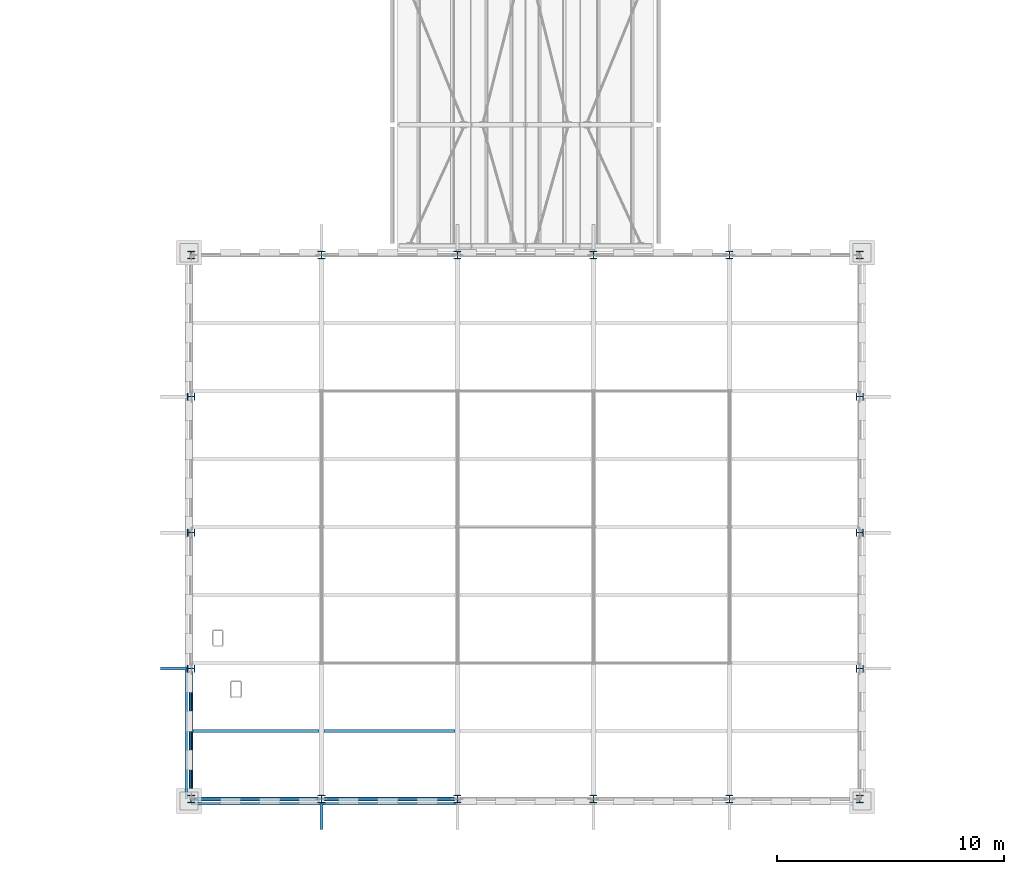
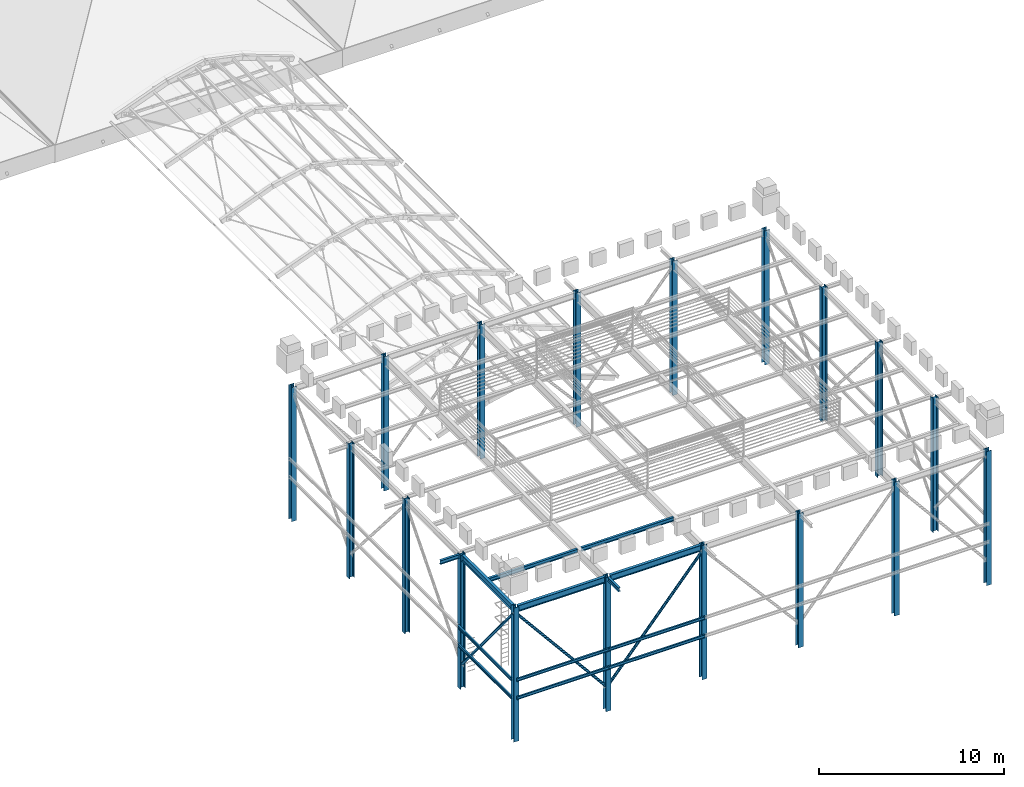
# One storey, part 1 of 57: 18 columns, 13 beams, 3 members.
"""IFC4 building model written with IfcOpenShell, lengths in metres."""

from ifc_helpers import new_model, si_unit, direction, frame, origin, origin_2d, place, context, subcontext, project, spatial, hollow_circle, i_section, extrude, material, material_profile, profile_set, type_object, element, save


model = new_model("IFC4")

# Units and contexts
model_context = context("Model", 3, precision=1e-05, world=origin(), true_north=direction((0.0, 1.0)))
body_context = subcontext(model_context, "Body", "Model", "MODEL_VIEW")
ifc_project = project(units=[si_unit("LENGTHUNIT", "METRE"), si_unit("AREAUNIT", "SQUARE_METRE"), si_unit("VOLUMEUNIT", "CUBIC_METRE"), si_unit("PLANEANGLEUNIT", "RADIAN"), si_unit("MASSUNIT", "GRAM", prefix="KILO")], contexts=[model_context])

# Site, building, storey
site_placement = place(None, origin())
site = spatial("IfcSite", under=ifc_project, at=site_placement, CompositionType="ELEMENT")
building_placement = place(site_placement, origin())
building = spatial("IfcBuilding", under=site, at=building_placement, Name="Saffron Lane Theatres", CompositionType="ELEMENT")
storey_placement = place(building_placement, frame((0.0, 0.0, 28.0)))
storey = spatial("IfcBuildingStorey", under=building, at=storey_placement, Name="Upper Roof", CompositionType="ELEMENT", Elevation=28.0)

# Columns
ifc_material_1 = material(Name="Steel Grade 350", Category="steel")
ifc_material_profile_1 = material_profile(ifc_material_1, i_section(OverallWidth=0.31103515625, OverallDepth=0.326904296875, WebThickness=0.015625, FlangeThickness=0.02490234375, FilletRadius=0.01611328125, at=origin_2d()))
ifc_profile_set_1 = profile_set([ifc_material_profile_1], Name="Steel Grade 350")
column_type = type_object("IfcColumnType", Name="ST-TOWER COLUMN 310UC158", PredefinedType="COLUMN", material=ifc_profile_set_1)
for number, where, z_axis, x_axis, name in (
    (1, (18.25, 30.25, 0.0), (0.0, 0.0, 1.0), (1.0, 0.0, 0.0), "TC1"),
    (2, (24.0, 30.25, 0.0), (0.0, 0.0, 1.0), (1.0, 0.0, 0.0), "TC2"),
    (3, (30.0, 30.25, 0.0), (0.0, 0.0, 1.0), (1.0, 0.0, 0.0), "TC3"),
    (4, (36.0, 30.25, 0.0), (0.0, 0.0, 1.0), (1.0, 0.0, 0.0), "TC4"),
    (5, (42.0, 30.25, 0.0), (0.0, 0.0, 1.0), (1.0, 0.0, 0.0), "TC5"),
    (6, (47.75, 30.25, 0.0), (0.0, 0.0, 1.0), (1.0, 0.0, 0.0), "TC6"),
    (7, (18.25, 54.25, 0.0), (0.0, 0.0, 1.0), (1.0, 0.0, 0.0), "TC7"),
    (8, (24.0, 54.25, 0.0), (0.0, 0.0, 1.0), (1.0, 0.0, 0.0), "TC8"),
    (9, (30.0, 54.25, 0.0), (0.0, 0.0, 1.0), (1.0, 0.0, 0.0), "TC9"),
    (10, (36.0, 54.25, 0.0), (0.0, 0.0, 1.0), (1.0, 0.0, 0.0), "TC10"),
    (11, (42.0, 54.25, 0.0), (0.0, 0.0, 1.0), (1.0, 0.0, 0.0), "TC11"),
    (12, (47.75, 54.25, 0.0), (0.0, 0.0, 1.0), (1.0, 0.0, 0.0), "TC12"),
    (13, (18.25, 36.0, 0.0), (0.0, 0.0, 1.0), (0.0, 1.0, 0.0), "TC13"),
    (14, (18.25, 42.0, 0.0), (0.0, 0.0, 1.0), (0.0, 1.0, 0.0), "TC14"),
    (15, (18.25, 48.0, 0.0), (0.0, 0.0, 1.0), (0.0, 1.0, 0.0), "TC15"),
    (16, (47.75, 36.0, 0.0), (0.0, 0.0, 1.0), (0.0, 1.0, 0.0), "TC16"),
    (17, (47.75, 42.0, 0.0), (0.0, 0.0, 1.0), (0.0, 1.0, 0.0), "TC17"),
    (18, (47.75, 48.0, 0.0), (0.0, 0.0, 1.0), (0.0, 1.0, 0.0), "TC18"),
):
    element("IfcColumn", number, at=place(storey_placement, frame(where, z_axis=z_axis, x_axis=x_axis)), inside=storey, type_object=column_type, Name=name, PredefinedType="COLUMN", context=body_context, shape_type="SweptSolid", body=[
        extrude(i_section(OverallWidth=0.31103515625, OverallDepth=0.326904296875, WebThickness=0.015625, FlangeThickness=0.02490234375, FilletRadius=0.01611328125, at=origin_2d()), origin(), (0.0, 0.0, 1.0), 8.85009765625),
    ])

# Beams
ifc_material_2 = material(Name="Steel Grade 350", Category="steel")
ifc_material_profile_2 = material_profile(ifc_material_2, i_section(OverallWidth=0.177978515625, OverallDepth=0.406005859375, WebThickness=0.0078125, FlangeThickness=0.0126953125, FilletRadius=0.010986328125, at=origin_2d()))
ifc_profile_set_2 = profile_set([ifc_material_profile_2], Name="Steel Grade 350")
beam_type_1 = type_object("IfcBeamType", Name="ST-ROOF GIRDER 410UB59.7", PredefinedType="BEAM", material=ifc_profile_set_2)
beam_1_placement = place(storey_placement, frame((18.405517578125, 30.25, 8.64697265625), z_axis=(1.0, 0.0, 0.0), x_axis=(0.0, 1.0, 0.0)))
element("IfcBeam", 19, at=beam_1_placement, inside=storey, type_object=beam_type_1, Name="TR1", PredefinedType="BEAM", context=body_context, shape_type="SweptSolid", body=[
    extrude(i_section(OverallWidth=0.177978515625, OverallDepth=0.406005859375, WebThickness=0.0078125, FlangeThickness=0.0126953125, FilletRadius=0.010986328125, at=origin_2d()), origin(), (0.0, 0.0, 1.0), 5.43896484375),
])
beam_2_placement = place(storey_placement, frame((24.155517578125, 30.25, 8.64697265625), z_axis=(1.0, 0.0, 0.0), x_axis=(0.0, 1.0, 0.0)))
element("IfcBeam", 20, at=beam_2_placement, inside=storey, type_object=beam_type_1, Name="TR2", PredefinedType="BEAM", context=body_context, shape_type="SweptSolid", body=[
    extrude(i_section(OverallWidth=0.177978515625, OverallDepth=0.406005859375, WebThickness=0.0078125, FlangeThickness=0.0126953125, FilletRadius=0.010986328125, at=origin_2d()), origin(), (0.0, 0.0, 1.0), 5.68896484375),
])
beam_3_placement = place(storey_placement, frame((18.25, 30.41357421875, 8.64697265625), z_axis=(0.0, 1.0, 0.0), x_axis=(-1.0, 0.0, 0.0)))
element("IfcBeam", 21, at=beam_3_placement, inside=storey, type_object=beam_type_1, Name="TR11", PredefinedType="BEAM", context=body_context, shape_type="SweptSolid", body=[
    extrude(i_section(OverallWidth=0.177978515625, OverallDepth=0.406005859375, WebThickness=0.0078125, FlangeThickness=0.0126953125, FilletRadius=0.010986328125, at=origin_2d()), origin(), (0.0, 0.0, 1.0), 5.430908203125),
])
ifc_material_3 = material(Name="Steel Grade 350", Category="steel")
ifc_material_profile_3 = material_profile(ifc_material_3, i_section(OverallWidth=0.14599609375, OverallDepth=0.251953125, WebThickness=0.006103515625, FlangeThickness=0.008544921875, FilletRadius=0.011962890625, at=origin_2d()))
ifc_profile_set_3 = profile_set([ifc_material_profile_3], Name="Steel Grade 350")
beam_type_2 = type_object("IfcBeamType", Name="ST-ROOF JOIST 250UB31.4", PredefinedType="JOIST", material=ifc_profile_set_3)
beam_4_placement = place(storey_placement, frame((18.339111328125, 33.25, 8.72412109375), z_axis=(1.0, 0.0, 0.0), x_axis=(0.0, 1.0, 0.0)))
element("IfcBeam", 22, at=beam_4_placement, inside=storey, type_object=beam_type_2, Name="TT1", PredefinedType="JOIST", context=body_context, shape_type="SweptSolid", body=[
    extrude(i_section(OverallWidth=0.14599609375, OverallDepth=0.251953125, WebThickness=0.006103515625, FlangeThickness=0.008544921875, FilletRadius=0.011962890625, at=origin_2d()), origin(), (0.0, 0.0, 1.0), 5.546875),
])
beam_5_placement = place(storey_placement, frame((24.114013671875, 33.25, 8.72412109375), z_axis=(1.0, 0.0, 0.0), x_axis=(0.0, 1.0, 0.0)))
element("IfcBeam", 23, at=beam_5_placement, inside=storey, type_object=beam_type_2, Name="TT2", PredefinedType="JOIST", context=body_context, shape_type="SweptSolid", body=[
    extrude(i_section(OverallWidth=0.14599609375, OverallDepth=0.251953125, WebThickness=0.006103515625, FlangeThickness=0.008544921875, FilletRadius=0.011962890625, at=origin_2d()), origin(), (0.0, 0.0, 1.0), 5.77197265625),
])
for number, where, z_axis, x_axis, name in (
    (24, (24.0, 30.08642578125, 8.72412109375), (0.0, -1.0, 0.0), (1.0, 0.0, 0.0), "TE1"),
    (25, (18.08642578125, 36.0, 8.72412109375), (-1.0, 0.0, 0.0), (0.0, -1.0, 0.0), "TE9"),
):
    element("IfcBeam", number, at=place(storey_placement, frame(where, z_axis=z_axis, x_axis=x_axis)), inside=storey, type_object=beam_type_2, Name=name, PredefinedType="JOIST", context=body_context, shape_type="SweptSolid", body=[
        extrude(i_section(OverallWidth=0.14599609375, OverallDepth=0.251953125, WebThickness=0.006103515625, FlangeThickness=0.008544921875, FilletRadius=0.011962890625, at=origin_2d()), origin(), (0.0, 0.0, 1.0), 1.1865234375),
    ])

# Members
ifc_material_4 = material(Name="Steel Grade 350", Category="steel")
ifc_material_profile_4 = material_profile(ifc_material_4, hollow_circle(Radius=0.084228515625, WallThickness=0.00634765625, at=origin_2d()))
ifc_profile_set_4 = profile_set([ifc_material_profile_4], Name="Steel Grade 350")
member_type = type_object("IfcMemberType", Name="ST-TOWER BRACE HI 168.3x6.4 CHS", PredefinedType="BRACE", material=ifc_profile_set_4)
member_1_placement = place(storey_placement, frame((23.9072265625, 30.25, 1.61181640625), z_axis=(-0.637764692464, 0.0, 0.770231262055), x_axis=(0.0, -1.0, 0.0)))
element("IfcMember", 26, at=member_1_placement, inside=storey, type_object=member_type, Name="TB2", PredefinedType="BRACE", context=body_context, shape_type="SweptSolid", body=[
    extrude(hollow_circle(Radius=0.084228515625, WallThickness=0.00634765625, at=origin_2d()), origin(), (0.0, 0.0, 1.0), 8.724853515625),
])
member_2_placement = place(storey_placement, frame((24.091552734375, 30.25, 1.60595703125), z_axis=(0.653796315822, 0.0, 0.756670587123), x_axis=(0.0, 1.0, 0.0)))
element("IfcMember", 27, at=member_2_placement, inside=storey, type_object=member_type, Name="TB4", PredefinedType="BRACE", context=body_context, shape_type="SweptSolid", body=[
    extrude(hollow_circle(Radius=0.084228515625, WallThickness=0.00634765625, at=origin_2d()), origin(), (0.0, 0.0, 1.0), 8.897216796875),
])
member_3_placement = place(storey_placement, frame((18.25, 35.9072265625, 1.61181640625), z_axis=(0.0, -0.637764692464, 0.770231262055), x_axis=(1.0, 0.0, 0.0)))
element("IfcMember", 28, at=member_3_placement, inside=storey, type_object=member_type, Name="TB22", PredefinedType="BRACE", context=body_context, shape_type="SweptSolid", body=[
    extrude(hollow_circle(Radius=0.084228515625, WallThickness=0.00634765625, at=origin_2d()), origin(), (0.0, 0.0, 1.0), 8.724853515625),
])

# Beams
ifc_material_5 = material(Name="Steel Grade 350", Category="steel")
ifc_material_profile_5 = material_profile(ifc_material_5, i_section(OverallWidth=0.09912109375, OverallDepth=0.197998046875, WebThickness=0.00439453125, FlangeThickness=0.007080078125, FilletRadius=0.010986328125, at=origin_2d()))
ifc_profile_set_5 = profile_set([ifc_material_profile_5], Name="Steel Grade 350")
beam_type_3 = type_object("IfcBeamType", Name="ST-TOWER GIRT 200UB18.2", PredefinedType="BEAM", material=ifc_profile_set_5)
beam_6_placement = place(storey_placement, frame((18.25, 30.037109375, 2.90087890625), z_axis=(1.0, 0.0, 0.0), x_axis=(0.0, 1.0, 0.0)))
element("IfcBeam", 29, at=beam_6_placement, inside=storey, type_object=beam_type_3, Name="TX16", PredefinedType="BEAM", context=body_context, shape_type="SweptSolid", body=[
    extrude(i_section(OverallWidth=0.09912109375, OverallDepth=0.197998046875, WebThickness=0.00439453125, FlangeThickness=0.007080078125, FilletRadius=0.010986328125, at=origin_2d()), origin(), (0.0, 0.0, 1.0), 5.75),
])
beam_7_placement = place(storey_placement, frame((24.0, 30.037109375, 2.90087890625), z_axis=(1.0, 0.0, 0.0), x_axis=(0.0, 1.0, 0.0)))
element("IfcBeam", 30, at=beam_7_placement, inside=storey, type_object=beam_type_3, Name="TX17", PredefinedType="BEAM", context=body_context, shape_type="SweptSolid", body=[
    extrude(i_section(OverallWidth=0.09912109375, OverallDepth=0.197998046875, WebThickness=0.00439453125, FlangeThickness=0.007080078125, FilletRadius=0.010986328125, at=origin_2d()), origin(), (0.0, 0.0, 1.0), 6.0),
])
beam_8_placement = place(storey_placement, frame((18.25, 30.037109375, 4.10107421875), z_axis=(1.0, 0.0, 0.0), x_axis=(0.0, 1.0, 0.0)))
element("IfcBeam", 31, at=beam_8_placement, inside=storey, type_object=beam_type_3, Name="TX21", PredefinedType="BEAM", context=body_context, shape_type="SweptSolid", body=[
    extrude(i_section(OverallWidth=0.09912109375, OverallDepth=0.197998046875, WebThickness=0.00439453125, FlangeThickness=0.007080078125, FilletRadius=0.010986328125, at=origin_2d()), origin(), (0.0, 0.0, 1.0), 5.75),
])
beam_9_placement = place(storey_placement, frame((24.0, 30.037109375, 4.10107421875), z_axis=(1.0, 0.0, 0.0), x_axis=(0.0, 1.0, 0.0)))
element("IfcBeam", 32, at=beam_9_placement, inside=storey, type_object=beam_type_3, Name="TX22", PredefinedType="BEAM", context=body_context, shape_type="SweptSolid", body=[
    extrude(i_section(OverallWidth=0.09912109375, OverallDepth=0.197998046875, WebThickness=0.00439453125, FlangeThickness=0.007080078125, FilletRadius=0.010986328125, at=origin_2d()), origin(), (0.0, 0.0, 1.0), 6.0),
])
for number, where, z_axis, x_axis, name in (
    (33, (18.037109375, 30.25, 2.90087890625), (0.0, 1.0, 0.0), (-1.0, 0.0, 0.0), "TX38"),
    (34, (18.037109375, 30.25, 4.10107421875), (0.0, 1.0, 0.0), (-1.0, 0.0, 0.0), "TX42"),
):
    element("IfcBeam", number, at=place(storey_placement, frame(where, z_axis=z_axis, x_axis=x_axis)), inside=storey, type_object=beam_type_3, Name=name, PredefinedType="BEAM", context=body_context, shape_type="SweptSolid", body=[
        extrude(i_section(OverallWidth=0.09912109375, OverallDepth=0.197998046875, WebThickness=0.00439453125, FlangeThickness=0.007080078125, FilletRadius=0.010986328125, at=origin_2d()), origin(), (0.0, 0.0, 1.0), 5.75),
    ])

save(model, "model.ifc")
